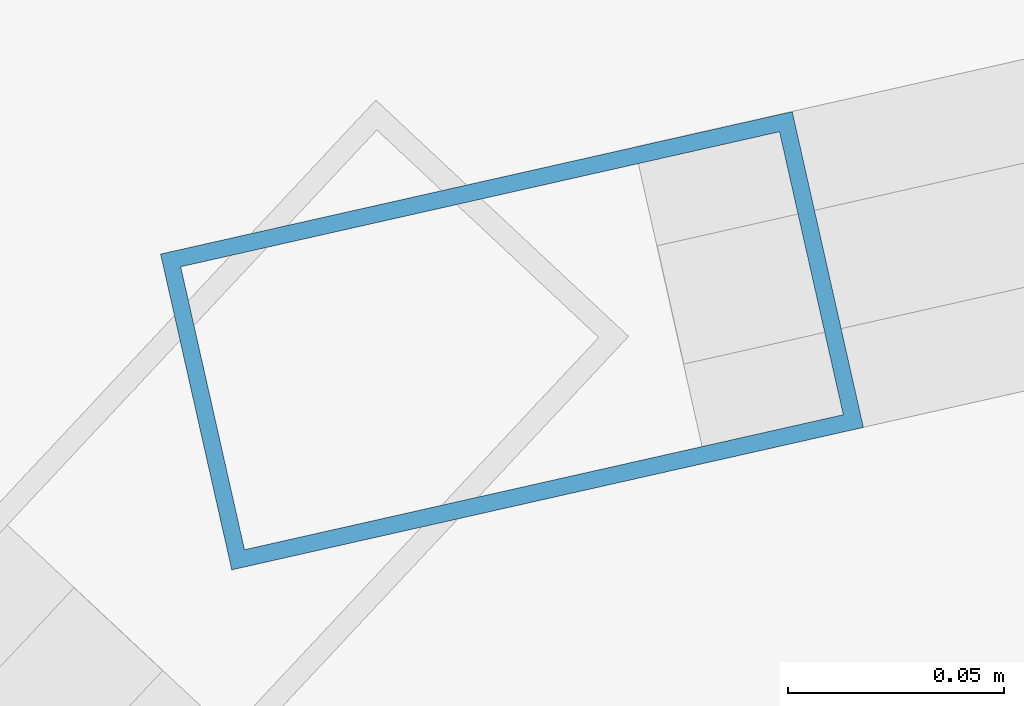
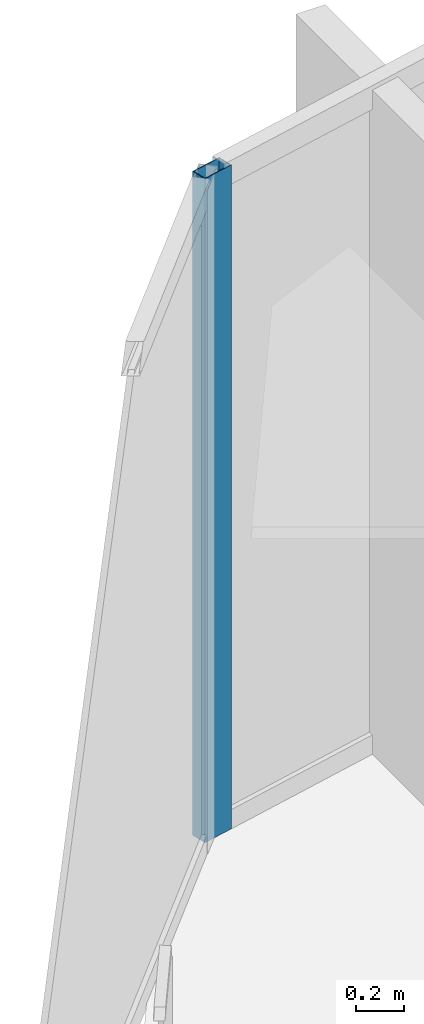
# One storey, part 17 of 33: 1 member, 1 element without a shape of its own.
"""IFC4 building model written with IfcOpenShell, lengths in metres."""

from ifc_helpers import new_model, si_unit, direction, frame, origin, origin_2d, place, context, subcontext, project, spatial, hollow_rectangle, extrude, material, layer, layer_set, material_profile, profile_set, type_object, element, aggregate, save


model = new_model("IFC4")

# Units and contexts
model_context = context("Model", 3, precision=1e-05, world=origin(), true_north=direction((0.0, 1.0)))
body_context = subcontext(model_context, "Body", "Model", "MODEL_VIEW")
ifc_project = project(units=[si_unit("LENGTHUNIT", "METRE"), si_unit("AREAUNIT", "SQUARE_METRE"), si_unit("VOLUMEUNIT", "CUBIC_METRE"), si_unit("PLANEANGLEUNIT", "RADIAN"), si_unit("MASSUNIT", "GRAM", prefix="KILO")], contexts=[model_context])

# Site, building, storey
site_placement = place(None, origin())
site = spatial("IfcSite", under=ifc_project, at=site_placement, CompositionType="ELEMENT")
building_placement = place(site_placement, origin())
building = spatial("IfcBuilding", under=site, at=building_placement, Name="Kazevale Care Tower and Concert Hall", CompositionType="ELEMENT")
storey_placement = place(building_placement, frame((0.0, 0.0, 52.800048828125)))
storey = spatial("IfcBuildingStorey", under=building, at=storey_placement, Name="L13", CompositionType="ELEMENT", Elevation=52.800048828125)

# Curtain wall, member
ifc_material_1 = material(Name="Aluminium 6063-T6 and Low-E Glass", Category="aluminium")
ifc_layer = layer(ifc_material_1, 0.179931640625)
ifc_layer_set = layer_set([ifc_layer], Name="Aluminium 6063-T6 and Low-E Glass")
curtain_wall_type = type_object("IfcCurtainWallType", Name="Convex Recessed Sunroom Curtain Wall CW-3", PredefinedType="NOTDEFINED", material=ifc_layer_set)
curtain_wall_placement = place(storey_placement, origin())
curtain_wall = element("IfcCurtainWall", 1, at=curtain_wall_placement, inside=storey, type_object=curtain_wall_type, Name="cw:L13:f15", PredefinedType="NOTDEFINED")
ifc_material_2 = material(Name="Aluminium 6063-T6", Category="aluminium")
ifc_material_profile = material_profile(ifc_material_2, hollow_rectangle(XDim=0.074951171875, YDim=0.14990234375, WallThickness=0.00390625, at=origin_2d()), Name="ALU75x150x4")
ifc_profile_set = profile_set([ifc_material_profile], Name="Aluminium 6063-T6")
member_type = type_object("IfcMemberType", Name="CW-3 Mullion ALU75x150x4", PredefinedType="MULLION", material=ifc_profile_set)
member_placement = place(storey_placement, frame((25.073486328125, 62.88525390625, 0.0), z_axis=(0.0, 0.0, 1.0), x_axis=(-0.219910670667, 0.975520013596, 0.0)))
member = element("IfcMember", 2, at=member_placement, type_object=member_type, Name="CW-3 mullion 1", PredefinedType="MULLION", context=body_context, shape_type="SweptSolid", body=[
    extrude(hollow_rectangle(XDim=0.074951171875, YDim=0.14990234375, WallThickness=0.00390625, at=origin_2d()), origin(), (0.0, 0.0, 1.0), 3.35986328125),
])
aggregate(curtain_wall, [member])

save(model, "model.ifc")
